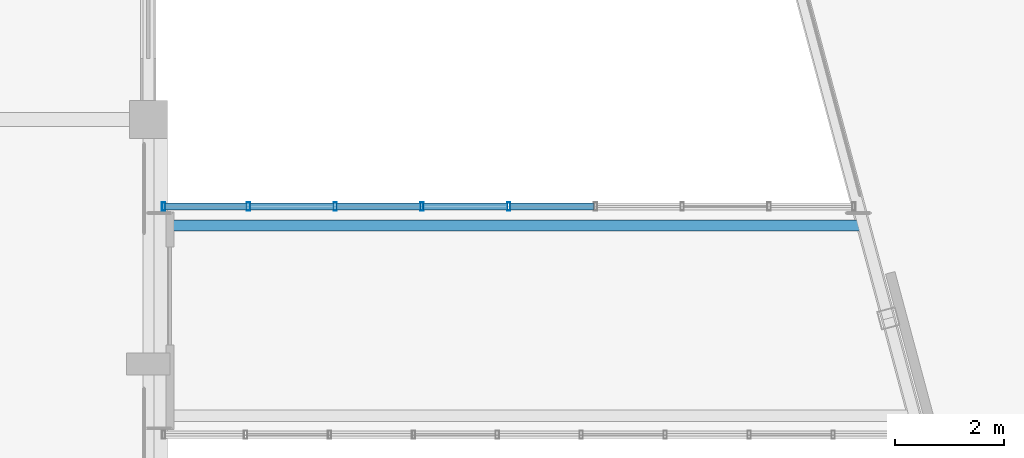
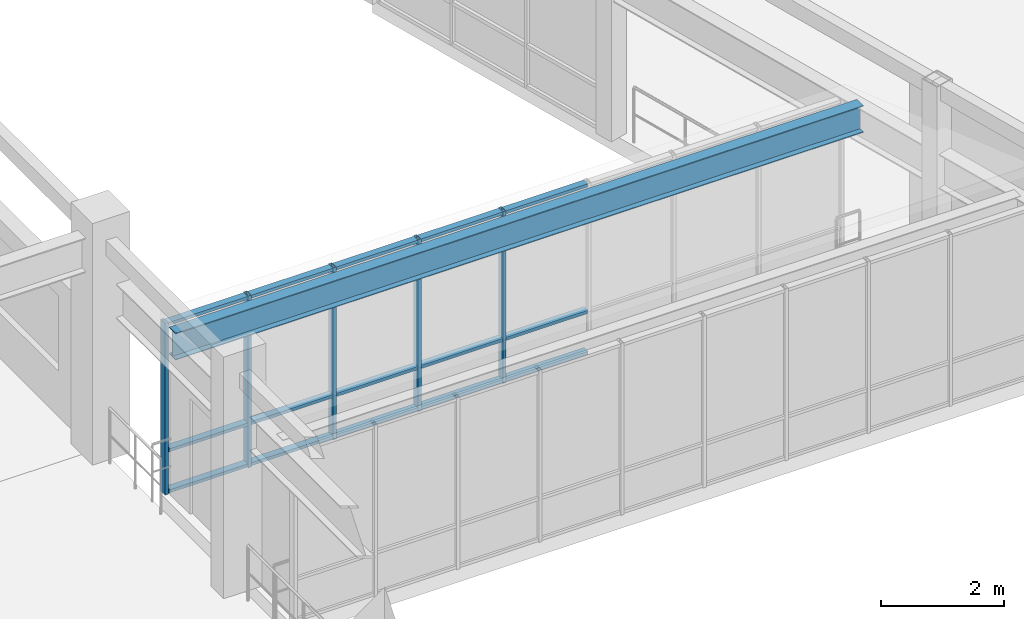
# One storey, part 31 of 99: 20 members, 1 beam, 1 element without a shape of its own.
"""IFC4 building model written with IfcOpenShell, lengths in metres."""

from ifc_helpers import new_model, si_unit, direction, frame, origin, origin_2d, place, context, subcontext, project, spatial, hollow_rectangle, i_section, extrude, material, layer, layer_set, material_profile, profile_set, type_object, element, aggregate, save


model = new_model("IFC4")

# Units and contexts
model_context = context("Model", 3, precision=1e-05, world=origin(), true_north=direction((0.0, 1.0)))
body_context = subcontext(model_context, "Body", "Model", "MODEL_VIEW")
ifc_project = project(units=[si_unit("LENGTHUNIT", "METRE"), si_unit("AREAUNIT", "SQUARE_METRE"), si_unit("VOLUMEUNIT", "CUBIC_METRE"), si_unit("PLANEANGLEUNIT", "RADIAN"), si_unit("MASSUNIT", "GRAM", prefix="KILO")], contexts=[model_context])

# Site, building, storey
site_placement = place(None, origin())
site = spatial("IfcSite", under=ifc_project, at=site_placement, CompositionType="ELEMENT")
building_placement = place(site_placement, origin())
building = spatial("IfcBuilding", under=site, at=building_placement, Name="Ventoquebrada Cableway Terminal", CompositionType="ELEMENT")
storey_placement = place(building_placement, frame((0.0, 0.0, 9.60009765625)))
storey = spatial("IfcBuildingStorey", under=building, at=storey_placement, Name="L02", CompositionType="ELEMENT", Elevation=9.60009765625)

# Beam
ifc_material_1 = material(Name="Steel ASTM A992 Grade 50", Category="steel")
ifc_material_profile_1 = material_profile(ifc_material_1, i_section(OverallWidth=0.2099609375, OverallDepth=0.532958984375, WebThickness=0.01025390625, FlangeThickness=0.015625, at=origin_2d()), Name="W21X62")
ifc_profile_set_1 = profile_set([ifc_material_profile_1], Name="Steel ASTM A992 Grade 50")
beam_type = type_object("IfcBeamType", Name="BM-ST01", PredefinedType="BEAM", material=ifc_profile_set_1)
beam_placement = place(storey_placement, frame((35.22509765625, 84.050048828125, 3.183837890625), z_axis=(1.0, 0.0, 0.0), x_axis=(0.0, 1.0, 0.0)))
element("IfcBeam", 1, at=beam_placement, inside=storey, type_object=beam_type, Name="Link bridge roof girder LP-2 FBM-1113", PredefinedType="BEAM", context=body_context, shape_type="SweptSolid", body=[
    extrude(i_section(OverallWidth=0.2099609375, OverallDepth=0.532958984375, WebThickness=0.01025390625, FlangeThickness=0.015625, at=origin_2d()), origin(), (0.0, 0.0, 1.0), 12.929931640625),
])

# Curtain wall, members
ifc_material_2 = material(Name="Anodized thermally-broken aluminium", Category="aluminium")
ifc_layer = layer(ifc_material_2, 0.159912109375)
ifc_layer_set = layer_set([ifc_layer], Name="Anodized thermally-broken aluminium")
curtain_wall_type = type_object("IfcCurtainWallType", Name="CW-T53", PredefinedType="USERDEFINED", material=ifc_layer_set)
curtain_wall_placement = place(storey_placement, origin())
curtain_wall = element("IfcCurtainWall", 2, at=curtain_wall_placement, inside=storey, type_object=curtain_wall_type, Name="Unitised glazed curtain wall CW-172", ObjectType="UNITISED CURTAIN WALL", PredefinedType="USERDEFINED")
ifc_material_profile_2 = material_profile(ifc_material_2, hollow_rectangle(XDim=0.06005859375, YDim=0.14990234375, WallThickness=0.00390625, at=origin_2d()), Name="CW-MUL-60X150")
ifc_profile_set_2 = profile_set([ifc_material_profile_2], Name="Anodized thermally-broken aluminium")
member_type_1 = type_object("IfcMemberType", Name="CWM-03", PredefinedType="MULLION", material=ifc_profile_set_2)
member_1_placement = place(storey_placement, frame((41.6298828125, 84.39990234375, -0.008056640625), z_axis=(0.0, 0.0, 1.0), x_axis=(-1.0, 0.0, 0.0)))
member_1 = element("IfcMember", 3, at=member_1_placement, type_object=member_type_1, Name="Curtain wall mullion FML-0856", PredefinedType="MULLION", context=body_context, shape_type="SweptSolid", body=[
    extrude(hollow_rectangle(XDim=0.06005859375, YDim=0.14990234375, WallThickness=0.00390625, at=origin_2d()), origin(), (0.0, 0.0, 1.0), 3.412841796875),
])
member_2_placement = place(storey_placement, frame((40.033935546875, 84.39990234375, -0.008056640625), z_axis=(0.0, 0.0, 1.0), x_axis=(-1.0, 0.0, 0.0)))
member_2 = element("IfcMember", 4, at=member_2_placement, type_object=member_type_1, Name="Curtain wall mullion FML-0857", PredefinedType="MULLION", context=body_context, shape_type="SweptSolid", body=[
    extrude(hollow_rectangle(XDim=0.06005859375, YDim=0.14990234375, WallThickness=0.00390625, at=origin_2d()), origin(), (0.0, 0.0, 1.0), 3.412841796875),
])
member_3_placement = place(storey_placement, frame((38.43798828125, 84.39990234375, -0.008056640625), z_axis=(0.0, 0.0, 1.0), x_axis=(-1.0, 0.0, 0.0)))
member_3 = element("IfcMember", 5, at=member_3_placement, type_object=member_type_1, Name="Curtain wall mullion FML-0858", PredefinedType="MULLION", context=body_context, shape_type="SweptSolid", body=[
    extrude(hollow_rectangle(XDim=0.06005859375, YDim=0.14990234375, WallThickness=0.00390625, at=origin_2d()), origin(), (0.0, 0.0, 1.0), 3.412841796875),
])
member_4_placement = place(storey_placement, frame((36.841064453125, 84.39990234375, -0.008056640625), z_axis=(0.0, 0.0, 1.0), x_axis=(-1.0, 0.0, 0.0)))
member_4 = element("IfcMember", 6, at=member_4_placement, type_object=member_type_1, Name="Curtain wall mullion FML-0859", PredefinedType="MULLION", context=body_context, shape_type="SweptSolid", body=[
    extrude(hollow_rectangle(XDim=0.06005859375, YDim=0.14990234375, WallThickness=0.00390625, at=origin_2d()), origin(), (0.0, 0.0, 1.0), 3.412841796875),
])
member_5_placement = place(storey_placement, frame((35.280029296875, 84.39990234375, -0.008056640625), z_axis=(0.0, 0.0, 1.0), x_axis=(-1.0, 0.0, 0.0)))
member_5 = element("IfcMember", 7, at=member_5_placement, type_object=member_type_1, Name="Curtain wall mullion FML-0860", PredefinedType="MULLION", context=body_context, shape_type="SweptSolid", body=[
    extrude(hollow_rectangle(XDim=0.06005859375, YDim=0.14990234375, WallThickness=0.00390625, at=origin_2d()), origin(), (0.0, 0.0, 1.0), 3.412841796875),
])
ifc_material_profile_3 = material_profile(ifc_material_2, hollow_rectangle(XDim=0.06005859375, YDim=0.1298828125, WallThickness=0.00390625, at=origin_2d()), Name="CW-TRN-60X130")
ifc_profile_set_3 = profile_set([ifc_material_profile_3], Name="Anodized thermally-broken aluminium")
member_type_2 = type_object("IfcMemberType", Name="CWT-02", PredefinedType="USERDEFINED", material=ifc_profile_set_3)
member_6_placement = place(storey_placement, frame((43.201904296875, 84.39990234375, 0.034912109375), z_axis=(-1.0, 0.0, 0.0), x_axis=(0.0, 0.0, 1.0)))
member_6 = element("IfcMember", 8, at=member_6_placement, type_object=member_type_2, Name="Curtain wall transom FTR-2498", ObjectType="TRANSOM", PredefinedType="USERDEFINED", context=body_context, shape_type="SweptSolid", body=[
    extrude(hollow_rectangle(XDim=0.06005859375, YDim=0.1298828125, WallThickness=0.00390625, at=origin_2d()), origin(), (0.0, 0.0, 1.0), 1.546875),
])
member_7_placement = place(storey_placement, frame((43.201904296875, 84.39990234375, 0.849853515625), z_axis=(-1.0, 0.0, 0.0), x_axis=(0.0, 0.0, 1.0)))
member_7 = element("IfcMember", 9, at=member_7_placement, type_object=member_type_2, Name="Curtain wall transom FTR-2499", ObjectType="TRANSOM", PredefinedType="USERDEFINED", context=body_context, shape_type="SweptSolid", body=[
    extrude(hollow_rectangle(XDim=0.06005859375, YDim=0.1298828125, WallThickness=0.00390625, at=origin_2d()), origin(), (0.0, 0.0, 1.0), 1.546875),
])
member_8_placement = place(storey_placement, frame((43.201904296875, 84.39990234375, 3.364990234375), z_axis=(-1.0, 0.0, 0.0), x_axis=(0.0, 0.0, 1.0)))
member_8 = element("IfcMember", 10, at=member_8_placement, type_object=member_type_2, Name="Curtain wall transom FTR-2500", ObjectType="TRANSOM", PredefinedType="USERDEFINED", context=body_context, shape_type="SweptSolid", body=[
    extrude(hollow_rectangle(XDim=0.06005859375, YDim=0.1298828125, WallThickness=0.00390625, at=origin_2d()), origin(), (0.0, 0.0, 1.0), 1.546875),
])
member_9_placement = place(storey_placement, frame((41.60498046875, 84.39990234375, 0.034912109375), z_axis=(-1.0, 0.0, 0.0), x_axis=(0.0, 0.0, 1.0)))
member_9 = element("IfcMember", 11, at=member_9_placement, type_object=member_type_2, Name="Curtain wall transom FTR-2501", ObjectType="TRANSOM", PredefinedType="USERDEFINED", context=body_context, shape_type="SweptSolid", body=[
    extrude(hollow_rectangle(XDim=0.06005859375, YDim=0.1298828125, WallThickness=0.00390625, at=origin_2d()), origin(), (0.0, 0.0, 1.0), 1.5458984375),
])
member_10_placement = place(storey_placement, frame((41.60498046875, 84.39990234375, 0.849853515625), z_axis=(-1.0, 0.0, 0.0), x_axis=(0.0, 0.0, 1.0)))
member_10 = element("IfcMember", 12, at=member_10_placement, type_object=member_type_2, Name="Curtain wall transom FTR-2502", ObjectType="TRANSOM", PredefinedType="USERDEFINED", context=body_context, shape_type="SweptSolid", body=[
    extrude(hollow_rectangle(XDim=0.06005859375, YDim=0.1298828125, WallThickness=0.00390625, at=origin_2d()), origin(), (0.0, 0.0, 1.0), 1.5458984375),
])
member_11_placement = place(storey_placement, frame((41.60498046875, 84.39990234375, 3.364990234375), z_axis=(-1.0, 0.0, 0.0), x_axis=(0.0, 0.0, 1.0)))
member_11 = element("IfcMember", 13, at=member_11_placement, type_object=member_type_2, Name="Curtain wall transom FTR-2503", ObjectType="TRANSOM", PredefinedType="USERDEFINED", context=body_context, shape_type="SweptSolid", body=[
    extrude(hollow_rectangle(XDim=0.06005859375, YDim=0.1298828125, WallThickness=0.00390625, at=origin_2d()), origin(), (0.0, 0.0, 1.0), 1.5458984375),
])
member_12_placement = place(storey_placement, frame((40.009033203125, 84.39990234375, 0.034912109375), z_axis=(-1.0, 0.0, 0.0), x_axis=(0.0, 0.0, 1.0)))
member_12 = element("IfcMember", 14, at=member_12_placement, type_object=member_type_2, Name="Curtain wall transom FTR-2504", ObjectType="TRANSOM", PredefinedType="USERDEFINED", context=body_context, shape_type="SweptSolid", body=[
    extrude(hollow_rectangle(XDim=0.06005859375, YDim=0.1298828125, WallThickness=0.00390625, at=origin_2d()), origin(), (0.0, 0.0, 1.0), 1.546142578125),
])
member_13_placement = place(storey_placement, frame((40.009033203125, 84.39990234375, 0.849853515625), z_axis=(-1.0, 0.0, 0.0), x_axis=(0.0, 0.0, 1.0)))
member_13 = element("IfcMember", 15, at=member_13_placement, type_object=member_type_2, Name="Curtain wall transom FTR-2505", ObjectType="TRANSOM", PredefinedType="USERDEFINED", context=body_context, shape_type="SweptSolid", body=[
    extrude(hollow_rectangle(XDim=0.06005859375, YDim=0.1298828125, WallThickness=0.00390625, at=origin_2d()), origin(), (0.0, 0.0, 1.0), 1.546142578125),
])
member_14_placement = place(storey_placement, frame((40.009033203125, 84.39990234375, 3.364990234375), z_axis=(-1.0, 0.0, 0.0), x_axis=(0.0, 0.0, 1.0)))
member_14 = element("IfcMember", 16, at=member_14_placement, type_object=member_type_2, Name="Curtain wall transom FTR-2506", ObjectType="TRANSOM", PredefinedType="USERDEFINED", context=body_context, shape_type="SweptSolid", body=[
    extrude(hollow_rectangle(XDim=0.06005859375, YDim=0.1298828125, WallThickness=0.00390625, at=origin_2d()), origin(), (0.0, 0.0, 1.0), 1.546142578125),
])
member_15_placement = place(storey_placement, frame((38.4130859375, 84.39990234375, 0.034912109375), z_axis=(-1.0, 0.0, 0.0), x_axis=(0.0, 0.0, 1.0)))
member_15 = element("IfcMember", 17, at=member_15_placement, type_object=member_type_2, Name="Curtain wall transom FTR-2507", ObjectType="TRANSOM", PredefinedType="USERDEFINED", context=body_context, shape_type="SweptSolid", body=[
    extrude(hollow_rectangle(XDim=0.06005859375, YDim=0.1298828125, WallThickness=0.00390625, at=origin_2d()), origin(), (0.0, 0.0, 1.0), 1.547119140625),
])
member_16_placement = place(storey_placement, frame((38.4130859375, 84.39990234375, 0.849853515625), z_axis=(-1.0, 0.0, 0.0), x_axis=(0.0, 0.0, 1.0)))
member_16 = element("IfcMember", 18, at=member_16_placement, type_object=member_type_2, Name="Curtain wall transom FTR-2508", ObjectType="TRANSOM", PredefinedType="USERDEFINED", context=body_context, shape_type="SweptSolid", body=[
    extrude(hollow_rectangle(XDim=0.06005859375, YDim=0.1298828125, WallThickness=0.00390625, at=origin_2d()), origin(), (0.0, 0.0, 1.0), 1.547119140625),
])
member_17_placement = place(storey_placement, frame((38.4130859375, 84.39990234375, 3.364990234375), z_axis=(-1.0, 0.0, 0.0), x_axis=(0.0, 0.0, 1.0)))
member_17 = element("IfcMember", 19, at=member_17_placement, type_object=member_type_2, Name="Curtain wall transom FTR-2509", ObjectType="TRANSOM", PredefinedType="USERDEFINED", context=body_context, shape_type="SweptSolid", body=[
    extrude(hollow_rectangle(XDim=0.06005859375, YDim=0.1298828125, WallThickness=0.00390625, at=origin_2d()), origin(), (0.0, 0.0, 1.0), 1.547119140625),
])
member_18_placement = place(storey_placement, frame((36.81591796875, 84.39990234375, 0.034912109375), z_axis=(-1.0, 0.0, 0.0), x_axis=(0.0, 0.0, 1.0)))
member_18 = element("IfcMember", 20, at=member_18_placement, type_object=member_type_2, Name="Curtain wall transom FTR-2510", ObjectType="TRANSOM", PredefinedType="USERDEFINED", context=body_context, shape_type="SweptSolid", body=[
    extrude(hollow_rectangle(XDim=0.06005859375, YDim=0.1298828125, WallThickness=0.00390625, at=origin_2d()), origin(), (0.0, 0.0, 1.0), 1.510986328125),
])
member_19_placement = place(storey_placement, frame((36.81591796875, 84.39990234375, 0.849853515625), z_axis=(-1.0, 0.0, 0.0), x_axis=(0.0, 0.0, 1.0)))
member_19 = element("IfcMember", 21, at=member_19_placement, type_object=member_type_2, Name="Curtain wall transom FTR-2511", ObjectType="TRANSOM", PredefinedType="USERDEFINED", context=body_context, shape_type="SweptSolid", body=[
    extrude(hollow_rectangle(XDim=0.06005859375, YDim=0.1298828125, WallThickness=0.00390625, at=origin_2d()), origin(), (0.0, 0.0, 1.0), 1.510986328125),
])
member_20_placement = place(storey_placement, frame((36.81591796875, 84.39990234375, 3.364990234375), z_axis=(-1.0, 0.0, 0.0), x_axis=(0.0, 0.0, 1.0)))
member_20 = element("IfcMember", 22, at=member_20_placement, type_object=member_type_2, Name="Curtain wall transom FTR-2512", ObjectType="TRANSOM", PredefinedType="USERDEFINED", context=body_context, shape_type="SweptSolid", body=[
    extrude(hollow_rectangle(XDim=0.06005859375, YDim=0.1298828125, WallThickness=0.00390625, at=origin_2d()), origin(), (0.0, 0.0, 1.0), 1.510986328125),
])
aggregate(curtain_wall, [member_1, member_2, member_3, member_4, member_5, member_6, member_7, member_8, member_9, member_10, member_11, member_12, member_13, member_14, member_15, member_16, member_17, member_18, member_19, member_20])

save(model, "model.ifc")
